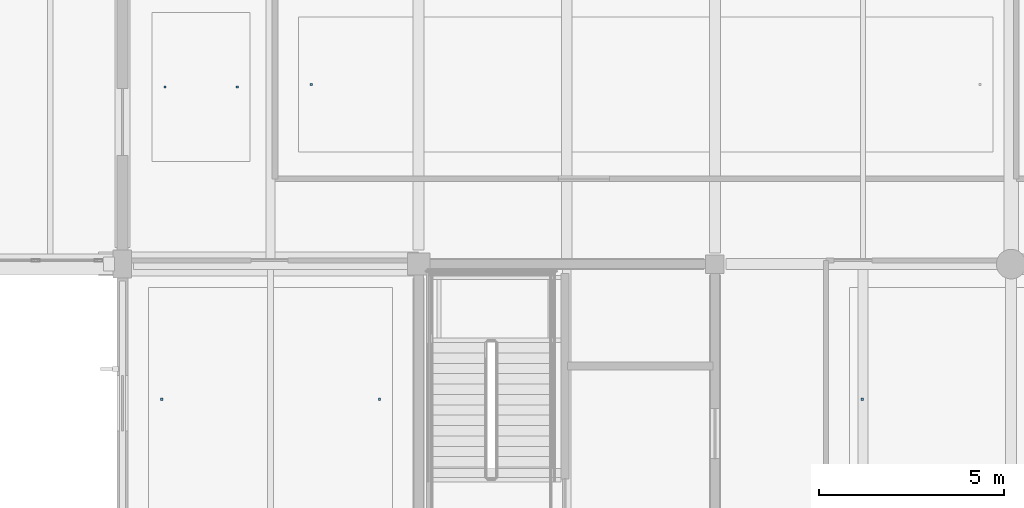
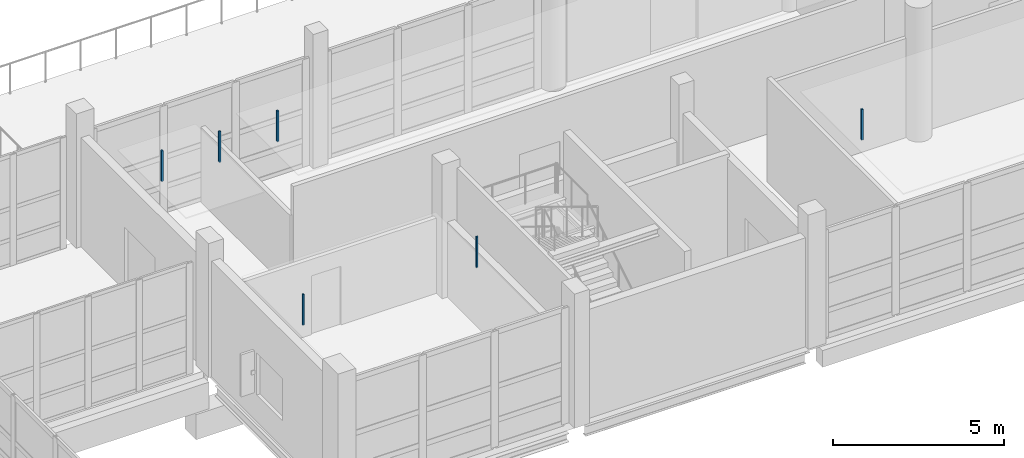
# One storey, part 103 of 147: 6 discrete accessories.
"""IFC4 building model written with IfcOpenShell, lengths in metres."""

from ifc_helpers import new_model, si_unit, direction, frame, origin, origin_2d, place, context, subcontext, project, spatial, rectangle, extrude, material, type_object, element, save


model = new_model("IFC4")

# Units and contexts
model_context = context("Model", 3, precision=1e-05, world=origin(), true_north=direction((0.0, 1.0)))
body_context = subcontext(model_context, "Body", "Model", "MODEL_VIEW")
ifc_project = project(units=[si_unit("LENGTHUNIT", "METRE"), si_unit("AREAUNIT", "SQUARE_METRE"), si_unit("VOLUMEUNIT", "CUBIC_METRE"), si_unit("PLANEANGLEUNIT", "RADIAN"), si_unit("MASSUNIT", "GRAM", prefix="KILO")], contexts=[model_context])

# Site, building, storey
site_placement = place(None, origin())
site = spatial("IfcSite", under=ifc_project, at=site_placement, CompositionType="ELEMENT")
building_placement = place(site_placement, origin())
building = spatial("IfcBuilding", under=site, at=building_placement, Name="Khelvaren Railside Concert Hall", CompositionType="ELEMENT")
storey_placement = place(building_placement, frame((0.0, 0.0, 5.39990234375)))
storey = spatial("IfcBuildingStorey", under=building, at=storey_placement, Name="L01", CompositionType="ELEMENT", Elevation=5.39990234375)

# Discrete accessories
ifc_material = material(Name="Galvanised steel acoustic ceiling hanger rod", Category="steel")
discrete_accessory_type = type_object("IfcDiscreteAccessoryType", Name="BRK62", PredefinedType="BRACKET", material=ifc_material)
for number, where, z_axis, x_axis, name in (
    (1, (65.14990234375, 12.385009765625, 3.429931640625), (0.0, 0.0, 1.0), (1.0, 0.0, 0.0), "Acoustic Ceiling Suspension Bracket 74-1"),
    (2, (67.10009765625, 12.385009765625, 3.429931640625), (0.0, 0.0, 1.0), (1.0, 0.0, 0.0), "Acoustic Ceiling Suspension Bracket 74-2"),
    (3, (69.10009765625, 12.449951171875, 3.429931640625), (0.0, 0.0, 1.0), (1.0, 0.0, 0.0), "Acoustic Ceiling Suspension Bracket 76-1"),
    (4, (65.06005859375, 3.949951171875, 3.429931640625), (0.0, 0.0, 1.0), (1.0, 0.0, 0.0), "Acoustic Ceiling Suspension Bracket 79-1"),
    (5, (70.93994140625, 3.949951171875, 3.429931640625), (0.0, 0.0, 1.0), (1.0, 0.0, 0.0), "Acoustic Ceiling Suspension Bracket 79-2"),
    (6, (83.97998046875, 3.949951171875, 3.429931640625), (0.0, 0.0, 1.0), (1.0, 0.0, 0.0), "Acoustic Ceiling Suspension Bracket 80-1"),
):
    element("IfcDiscreteAccessory", number, at=place(storey_placement, frame(where, z_axis=z_axis, x_axis=x_axis)), inside=storey, type_object=discrete_accessory_type, Name=name, PredefinedType="BRACKET", context=body_context, shape_type="SweptSolid", body=[
        extrude(rectangle(XDim=0.06005859375, YDim=0.06005859375, at=origin_2d()), origin(), (0.0, 0.0, 1.0), 1.10009765625),
    ])

save(model, "model.ifc")
